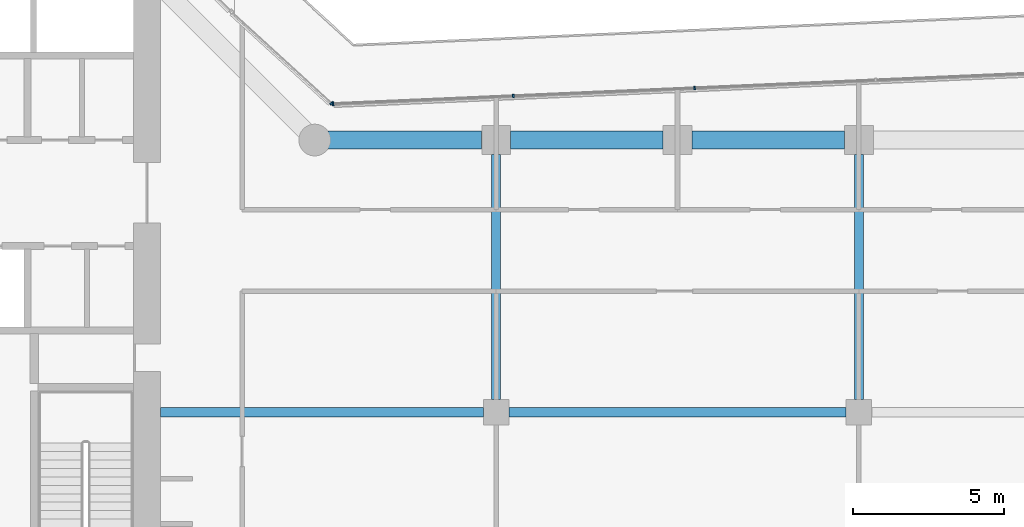
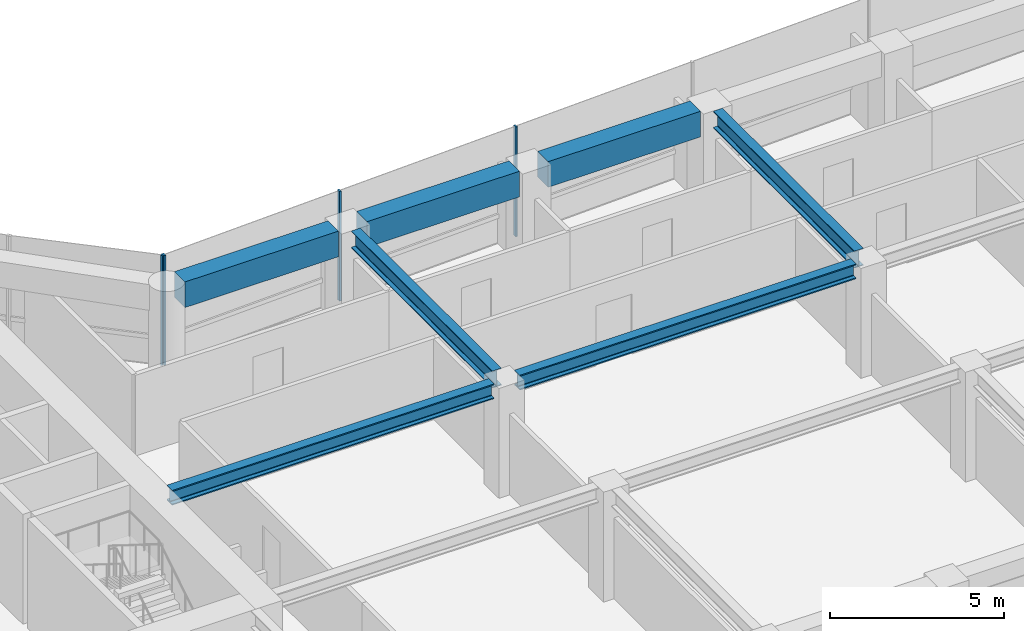
# One storey, part 11 of 29: 7 beams, 4 members, 2 elements without a shape of their own.
"""IFC4 building model written with IfcOpenShell, lengths in metres."""

from ifc_helpers import new_model, si_unit, direction, frame, origin, origin_2d, place, context, subcontext, project, spatial, rectangle, i_section, extrude, material, layer, layer_set, material_profile, profile_set, type_object, element, aggregate, save


model = new_model("IFC4")

# Units and contexts
model_context = context("Model", 3, precision=1e-05, world=origin(), true_north=direction((0.0, 1.0)))
body_context = subcontext(model_context, "Body", "Model", "MODEL_VIEW")
ifc_project = project(units=[si_unit("LENGTHUNIT", "METRE"), si_unit("AREAUNIT", "SQUARE_METRE"), si_unit("VOLUMEUNIT", "CUBIC_METRE"), si_unit("PLANEANGLEUNIT", "RADIAN"), si_unit("MASSUNIT", "GRAM", prefix="KILO")], contexts=[model_context])

# Site, building, storey
site_placement = place(None, origin())
site = spatial("IfcSite", under=ifc_project, at=site_placement, CompositionType="ELEMENT")
building_placement = place(site_placement, origin())
building = spatial("IfcBuilding", under=site, at=building_placement, Name="Welwitschia Terrace Campus", CompositionType="ELEMENT")
storey_placement = place(building_placement, frame((0.0, 0.0, 62.60009765625)))
storey = spatial("IfcBuildingStorey", under=building, at=storey_placement, Name="L14", CompositionType="ELEMENT", Elevation=62.60009765625)

# Beams
ifc_material_1 = material(Name="Steel S355", Category="steel")
ifc_material_profile_1 = material_profile(ifc_material_1, i_section(OverallWidth=0.305908203125, OverallDepth=0.52392578125, WebThickness=0.02099609375, FlangeThickness=0.0400390625, FilletRadius=0.027099609375, at=origin_2d()))
ifc_profile_set_1 = profile_set([ifc_material_profile_1], Name="Steel S355")
beam_type_1 = type_object("IfcBeamType", Name="Interior girder HE 500 M", PredefinedType="BEAM", material=ifc_profile_set_1)
beam_1_placement = place(storey_placement, frame((24.90087890625, 11.0, 3.587890625), z_axis=(1.0, 0.0, 0.0), x_axis=(0.0, 1.0, 0.0)))
element("IfcBeam", 1, at=beam_1_placement, inside=storey, type_object=beam_type_1, Name="Girder GB2", PredefinedType="BEAM", context=body_context, shape_type="SweptSolid", body=[
    extrude(i_section(OverallWidth=0.305908203125, OverallDepth=0.52392578125, WebThickness=0.02099609375, FlangeThickness=0.0400390625, FilletRadius=0.027099609375, at=origin_2d()), origin(), (0.0, 0.0, 1.0), 10.673583984375),
])
beam_2_placement = place(storey_placement, frame((36.425537109375, 11.0, 3.587890625), z_axis=(1.0, 0.0, 0.0), x_axis=(0.0, 1.0, 0.0)))
element("IfcBeam", 2, at=beam_2_placement, inside=storey, type_object=beam_type_1, Name="Girder GB2", PredefinedType="BEAM", context=body_context, shape_type="SweptSolid", body=[
    extrude(i_section(OverallWidth=0.305908203125, OverallDepth=0.52392578125, WebThickness=0.02099609375, FlangeThickness=0.0400390625, FilletRadius=0.027099609375, at=origin_2d()), origin(), (0.0, 0.0, 1.0), 11.14892578125),
])

# Curtain wall, members
ifc_material_2 = material(Name="Bronze anodised aluminium", Category="aluminium")
ifc_layer = layer(ifc_material_2, 0.1201171875)
ifc_layer_set = layer_set([ifc_layer], Name="Bronze anodised aluminium")
curtain_wall_type = type_object("IfcCurtainWallType", Name="Curtain wall CW2 tower 6000", PredefinedType="NOTDEFINED", material=ifc_layer_set)
curtain_wall_1_placement = place(storey_placement, origin())
curtain_wall_1 = element("IfcCurtainWall", 3, at=curtain_wall_1_placement, inside=storey, type_object=curtain_wall_type, Name="CW L14.7.0", PredefinedType="NOTDEFINED")
ifc_material_3 = material(Name="Bronze anodised aluminium", Category="aluminium")
ifc_material_profile_2 = material_profile(ifc_material_3, rectangle(XDim=0.1201171875, YDim=0.06005859375, at=origin_2d()))
ifc_profile_set_2 = profile_set([ifc_material_profile_2], Name="Bronze anodised aluminium")
member_type = type_object("IfcMemberType", Name="Mullion 60x120", PredefinedType="MULLION", material=ifc_profile_set_2)
member_1_placement = place(storey_placement, frame((42.564453125, 21.72265625, 0.0), z_axis=(0.0, 0.0, 1.0), x_axis=(0.043619387365, -0.999048221582, 0.0)))
member_1 = element("IfcMember", 4, at=member_1_placement, type_object=member_type, Name="Mullion L14.7.0.3", PredefinedType="MULLION", context=body_context, shape_type="SweptSolid", body=[
    extrude(rectangle(XDim=0.1201171875, YDim=0.06005859375, at=origin_2d()), origin(), (0.0, 0.0, 1.0), 3.849853515625),
])
member_2_placement = place(storey_placement, frame((36.5703125, 21.4609375, 0.0), z_axis=(0.0, 0.0, 1.0), x_axis=(0.043619387365, -0.999048221582, 0.0)))
member_2 = element("IfcMember", 5, at=member_2_placement, type_object=member_type, Name="Mullion L14.7.0.4", PredefinedType="MULLION", context=body_context, shape_type="SweptSolid", body=[
    extrude(rectangle(XDim=0.1201171875, YDim=0.06005859375, at=origin_2d()), origin(), (0.0, 0.0, 1.0), 3.849853515625),
])
member_3_placement = place(storey_placement, frame((30.60595703125, 21.20068359375, 0.0), z_axis=(0.0, 0.0, 1.0), x_axis=(0.043619387365, -0.999048221582, 0.0)))
member_3 = element("IfcMember", 6, at=member_3_placement, type_object=member_type, Name="Mullion L14.7.0.5", PredefinedType="MULLION", context=body_context, shape_type="SweptSolid", body=[
    extrude(rectangle(XDim=0.1201171875, YDim=0.06005859375, at=origin_2d()), origin(), (0.0, 0.0, 1.0), 3.849853515625),
])
aggregate(curtain_wall_1, [member_1, member_2, member_3])

# Curtain wall, member
curtain_wall_2_placement = place(storey_placement, origin())
curtain_wall_2 = element("IfcCurtainWall", 7, at=curtain_wall_2_placement, inside=storey, type_object=curtain_wall_type, Name="CW L14.8.0", PredefinedType="NOTDEFINED")
member_4_placement = place(storey_placement, frame((30.553955078125, 21.219482421875, 0.0), z_axis=(0.0, 0.0, 1.0), x_axis=(-0.675590207616, -0.73727733681, 0.0)))
member_4 = element("IfcMember", 8, at=member_4_placement, type_object=member_type, Name="Mullion L14.8.0.0", PredefinedType="MULLION", context=body_context, shape_type="SweptSolid", body=[
    extrude(rectangle(XDim=0.1201171875, YDim=0.06005859375, at=origin_2d()), origin(), (0.0, 0.0, 1.0), 3.849853515625),
])
aggregate(curtain_wall_2, [member_4])

# Beams
ifc_material_4 = material(Name="Steel S355", Category="steel")
ifc_material_profile_3 = material_profile(ifc_material_4, i_section(OverallWidth=0.300048828125, OverallDepth=0.60009765625, WebThickness=0.015380859375, FlangeThickness=0.030029296875, FilletRadius=0.027099609375, at=origin_2d()))
ifc_profile_set_3 = profile_set([ifc_material_profile_3], Name="Steel S355")
beam_type_2 = type_object("IfcBeamType", Name="Primary beam HE 600 B", PredefinedType="BEAM", material=ifc_profile_set_3)
for number, where, z_axis, x_axis, name in (
    (9, (48.0, 19.5244140625, 3.5498046875), (0.0, -1.0, 0.0), (1.0, 0.0, 0.0), "Primary beam PB2"),
    (10, (36.0, 19.5244140625, 3.5498046875), (0.0, -1.0, 0.0), (1.0, 0.0, 0.0), "Primary beam PB2"),
):
    element("IfcBeam", number, at=place(storey_placement, frame(where, z_axis=z_axis, x_axis=x_axis)), inside=storey, type_object=beam_type_2, Name=name, PredefinedType="BEAM", context=body_context, shape_type="SweptSolid", body=[
        extrude(i_section(OverallWidth=0.300048828125, OverallDepth=0.60009765625, WebThickness=0.015380859375, FlangeThickness=0.030029296875, FilletRadius=0.027099609375, at=origin_2d()), origin(), (0.0, 0.0, 1.0), 8.098876953125),
    ])
ifc_material_5 = material(Name="Concrete C60/75", Category="concrete")
ifc_material_profile_4 = material_profile(ifc_material_5, rectangle(XDim=0.60009765625, YDim=0.89990234375, at=origin_2d()))
ifc_profile_set_4 = profile_set([ifc_material_profile_4], Name="Concrete C60/75")
beam_type_3 = type_object("IfcBeamType", Name="Ring spandrel 600x900", PredefinedType="SPANDREL", material=ifc_profile_set_4)
for number, where, z_axis, x_axis, name in (
    (11, (47.5244140625, 20.0, 3.39990234375), (-1.0, 0.0, 0.0), (0.0, -1.0, 0.0), "Spandrel SP2"),
    (12, (41.5244140625, 20.0, 3.39990234375), (-1.0, 0.0, 0.0), (0.0, -1.0, 0.0), "Spandrel SP2"),
):
    element("IfcBeam", number, at=place(storey_placement, frame(where, z_axis=z_axis, x_axis=x_axis)), inside=storey, type_object=beam_type_3, Name=name, PredefinedType="SPANDREL", context=body_context, shape_type="SweptSolid", body=[
        extrude(rectangle(XDim=0.60009765625, YDim=0.89990234375, at=origin_2d()), origin(), (0.0, 0.0, 1.0), 5.048828125),
    ])
beam_3_placement = place(storey_placement, frame((35.5244140625, 20.0, 3.39990234375), z_axis=(-1.0, 0.0, 0.0), x_axis=(0.0, -1.0, 0.0)))
element("IfcBeam", 13, at=beam_3_placement, inside=storey, type_object=beam_type_3, Name="Spandrel SP2", PredefinedType="SPANDREL", context=body_context, shape_type="SweptSolid", body=[
    extrude(rectangle(XDim=0.60009765625, YDim=0.89990234375, at=origin_2d()), origin(), (0.0, 0.0, 1.0), 5.093017578125),
])

save(model, "model.ifc")
